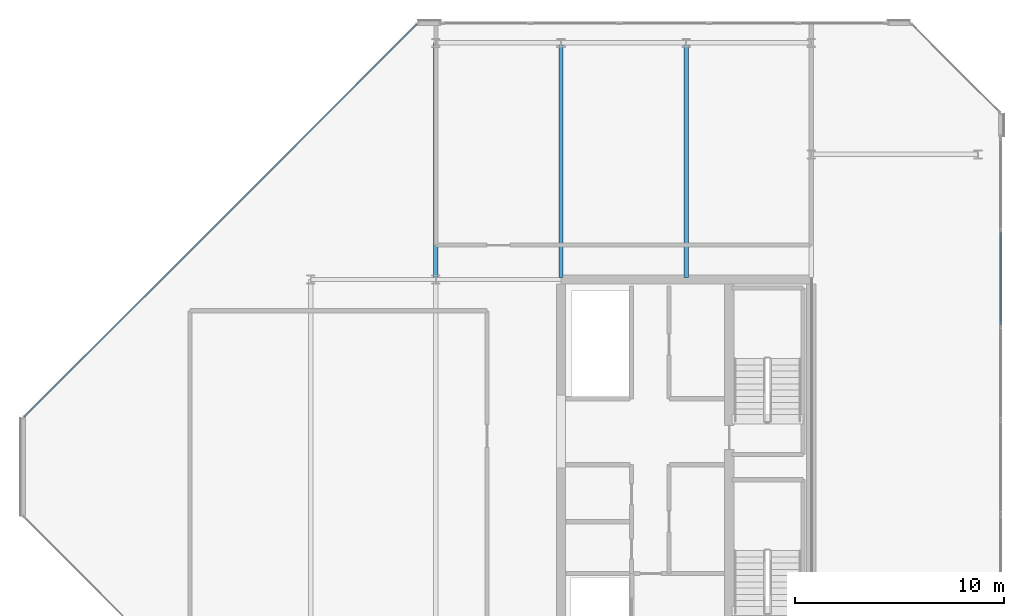
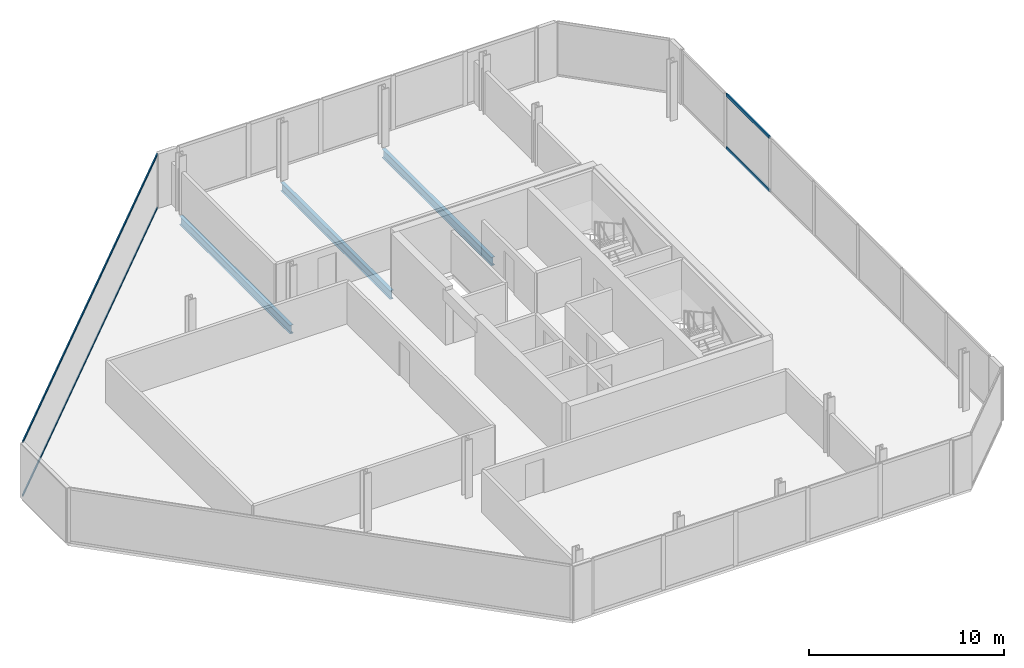
# One storey, part 9 of 16: 4 members, 3 beams, 2 elements without a shape of their own.
"""IFC4 building model written with IfcOpenShell, lengths in metres."""

import ifcopenshell
import ifcopenshell.guid

model = None  # the IFC model being written
_history = None  # IfcOwnerHistory: only IFC2X3 demands one
_inside = {}  # id of a spatial element -> (the spatial element, [elements in it])
_under = {}  # id of a project, library or spatial element -> (it, [spatial elements below it])
_declared = {}  # id of a project -> (the project, [libraries it declares])
_typed = {}  # id of a type object -> (the type object, [elements of that type])
_made_of = {}  # id of a material, layer set ... -> (it, [elements and type objects made of it])


def new_model(schema):
    """Start an empty IFC model of exactly this schema.

    Asked for "IFC4X3", IfcOpenShell would pick the latest addendum, in which some entities
    have other attributes; the version numbers below select the first issue.
    IFC2X3 requires an IfcOwnerHistory on every rooted entity: one is made here for all.
    """
    global model, _history
    if schema == "IFC4X3":
        model = ifcopenshell.file(schema_version=(4, 3, 0, 0))
    else:
        model = ifcopenshell.file(schema=schema)
    _inside.clear()
    _under.clear()
    _declared.clear()
    _typed.clear()
    _made_of.clear()
    _history = None
    if model.schema == "IFC2X3":
        org = make("IfcOrganization", Name="unknown")
        user = make(
            "IfcPersonAndOrganization",
            ThePerson=make("IfcPerson", FamilyName="unknown"),
            TheOrganization=org,
        )
        app = make(
            "IfcApplication",
            ApplicationDeveloper=org,
            Version="unknown",
            ApplicationFullName="unknown",
            ApplicationIdentifier="unknown",
        )
        _history = make(
            "IfcOwnerHistory",
            OwningUser=user,
            OwningApplication=app,
            ChangeAction="ADDED",
            CreationDate=0,
        )
    return model


def make(cls, **values):
    """One entity of the class cls with the attributes given. An attribute that is None is left unset."""
    return model.create_entity(
        cls, **{name: value for name, value in values.items() if value is not None}
    )


def rooted(cls, **values):
    """An entity with a GlobalId (a new one), such as an element, a storey or a relation."""
    return make(cls, GlobalId=ifcopenshell.guid.new(), OwnerHistory=_history, **values)


def si_unit(unit_type, name, prefix=None):
    """IfcSIUnit, for example si_unit("LENGTHUNIT", "METRE", prefix="MILLI")."""
    return make("IfcSIUnit", UnitType=unit_type, Prefix=prefix, Name=name)


def assignment(units):
    """IfcUnitAssignment: the units of a project."""
    return None if units is None else make("IfcUnitAssignment", Units=units)


def point(xyz):
    """IfcCartesianPoint."""
    return None if xyz is None else make("IfcCartesianPoint", Coordinates=xyz)


def direction(xyz):
    """IfcDirection."""
    return None if xyz is None else make("IfcDirection", DirectionRatios=xyz)


def frame(location, z_axis=None, x_axis=None):
    """IfcAxis2Placement3D, a coordinate frame: its origin and axes. An axis left out is left unset."""
    return make(
        "IfcAxis2Placement3D",
        Location=point(location),
        Axis=direction(z_axis),
        RefDirection=direction(x_axis),
    )


def frame_2d(location, x_axis=None):
    """IfcAxis2Placement2D, a coordinate frame in the plane: its origin and x axis."""
    return make(
        "IfcAxis2Placement2D", Location=point(location), RefDirection=direction(x_axis)
    )


def origin():
    """The frame at (0, 0, 0) with its axes left unset."""
    return frame((0.0, 0.0, 0.0))


def origin_2d():
    """The frame at (0, 0) in the plane with its x axis left unset."""
    return frame_2d((0.0, 0.0))


def place(relative_to, where):
    """IfcLocalPlacement: puts the frame where relative to a parent placement (None: the world)."""
    return make(
        "IfcLocalPlacement", PlacementRelTo=relative_to, RelativePlacement=where
    )


def context(
    kind, dimensions, precision=None, world=None, true_north=None, identifier=None
):
    """IfcGeometricRepresentationContext, for example the 3D "Model" context."""
    return make(
        "IfcGeometricRepresentationContext",
        ContextIdentifier=identifier,
        ContextType=kind,
        CoordinateSpaceDimension=dimensions,
        Precision=precision,
        WorldCoordinateSystem=world,
        TrueNorth=true_north,
    )


def subcontext(parent, identifier, kind, view, scale=None):
    """IfcGeometricRepresentationSubContext, for example "Body" below "Model"."""
    return make(
        "IfcGeometricRepresentationSubContext",
        ContextIdentifier=identifier,
        ContextType=kind,
        ParentContext=parent,
        TargetScale=scale,
        TargetView=view,
    )


def project(units=None, contexts=None):
    """IfcProject with its units and contexts."""
    return rooted(
        "IfcProject",
        Name="project",
        RepresentationContexts=contexts,
        UnitsInContext=assignment(units),
    )


def spatial(cls, under=None, at=None, **own):
    """A site, building, storey or space (cls), placed at a placement, below another one or the project."""
    s = rooted(cls, ObjectPlacement=at, **own)
    if under is not None:
        _under.setdefault(under.id(), (under, []))[1].append(s)
    return s


def profile(cls, at=None, kind="AREA", **sizes):
    """A parametric profile (cls). Its sizes go by their IFC names, for example OverallWidth=200.0."""
    return make(cls, ProfileType=kind, Position=at, **sizes)


def hollow_rectangle(**sizes):
    """IfcRectangleHollowProfileDef."""
    return profile("IfcRectangleHollowProfileDef", **sizes)


def i_section(**sizes):
    """IfcIShapeProfileDef."""
    return profile("IfcIShapeProfileDef", **sizes)


def extrude(swept, where, along, depth):
    """IfcExtrudedAreaSolid: the profile swept, set in the frame where, extruded along a direction by depth."""
    return make(
        "IfcExtrudedAreaSolid",
        SweptArea=swept,
        Position=where,
        ExtrudedDirection=direction(along),
        Depth=depth,
    )


def shape(context_of_items, identifier, shape_type, items):
    """IfcShapeRepresentation: the items that make up one representation, for example the "Body"."""
    return make(
        "IfcShapeRepresentation",
        ContextOfItems=context_of_items,
        RepresentationIdentifier=identifier,
        RepresentationType=shape_type,
        Items=items,
    )


def material(Name=None, Category=None):
    """IfcMaterial."""
    return make("IfcMaterial", Name=Name, Category=Category)


def layer(
    of_material, thickness, ventilated=None, Name=None, Category=None, Priority=None
):
    """IfcMaterialLayer: one layer of a wall or slab, of a material (None: an air gap)."""
    return make(
        "IfcMaterialLayer",
        Material=of_material,
        LayerThickness=thickness,
        IsVentilated=ventilated,
        Name=Name,
        Category=Category,
        Priority=Priority,
    )


def layer_set(layers, Name=None):
    """IfcMaterialLayerSet."""
    return make("IfcMaterialLayerSet", MaterialLayers=layers, LayerSetName=Name)


def material_profile(
    of_material, cross_section, Name=None, Category=None, Priority=None
):
    """IfcMaterialProfile: a cross section and its material."""
    return make(
        "IfcMaterialProfile",
        Name=Name,
        Material=of_material,
        Profile=cross_section,
        Priority=Priority,
        Category=Category,
    )


def profile_set(profiles, Name=None, composite=None):
    """IfcMaterialProfileSet."""
    return make(
        "IfcMaterialProfileSet",
        Name=Name,
        MaterialProfiles=profiles,
        CompositeProfile=composite,
    )


def made_of(thing, what):
    """Note that an element or type object is made of a material, layer set ...; save() writes the relation."""
    if what is not None:
        _made_of.setdefault(what.id(), (what, []))[1].append(thing)
    return thing


def type_object(cls, material=None, **own):
    """A type object (cls), such as IfcWallType, which elements share."""
    return made_of(rooted(cls, **own), material)


def element(
    cls,
    number,
    at=None,
    inside=None,
    cuts=None,
    type_object=None,
    material=None,
    context=None,
    identifier="Body",
    shape_type=None,
    held_by="IfcProductDefinitionShape",
    body=None,
    shapes=None,
    **own,
):
    """One element of the class cls, such as IfcWall. Its Tag is "e" and its number.

    at: its placement. inside: the storey or other place that contains it. cuts: it is an
    opening in that element (IfcRelVoidsElement). A single representation is given by context,
    identifier, shape_type and body (its items); several are given by shapes. held_by: the class
    of the entity that holds the representations. save() writes the other relations.
    """
    e = rooted(cls, Tag="e%d" % number, ObjectPlacement=at, **own)
    if body is not None:
        shapes = [shape(context, identifier, shape_type, body)]
    if shapes is not None:
        e.Representation = make(held_by, Representations=shapes)
    if inside is not None:
        _inside.setdefault(inside.id(), (inside, []))[1].append(e)
    if cuts is not None:
        rooted(
            "IfcRelVoidsElement", RelatingBuildingElement=cuts, RelatedOpeningElement=e
        )
    if type_object is not None:
        _typed.setdefault(type_object.id(), (type_object, []))[1].append(e)
    return made_of(e, material)


def aggregate(whole, parts):
    """IfcRelAggregates: a whole, such as a stair, and the parts it consists of."""
    return rooted("IfcRelAggregates", RelatingObject=whole, RelatedObjects=parts)


def save(model, path):
    """Write the relations noted so far, then the file.

    IfcRelAggregates (storeys below a building ...), IfcRelContainedInSpatialStructure (elements
    in a storey), IfcRelDefinesByType, IfcRelAssociatesMaterial and IfcRelDeclares: one each for
    every whole, place, type object, material and project.
    """
    for whole, parts in _under.values():
        aggregate(whole, parts)
    for where, things in _inside.values():
        rooted(
            "IfcRelContainedInSpatialStructure",
            RelatedElements=things,
            RelatingStructure=where,
        )
    for kind, things in _typed.values():
        rooted("IfcRelDefinesByType", RelatedObjects=things, RelatingType=kind)
    for what, things in _made_of.values():
        rooted("IfcRelAssociatesMaterial", RelatedObjects=things, RelatingMaterial=what)
    for by, libraries in _declared.values():
        rooted("IfcRelDeclares", RelatingContext=by, RelatedDefinitions=libraries)
    model.write(path)


model = new_model("IFC4")

# Units and contexts
model_context = context("Model", 3, precision=1e-05, world=origin(), true_north=direction((0.0, 1.0)))
body_context = subcontext(model_context, "Body", "Model", "MODEL_VIEW")
ifc_project = project(units=[si_unit("LENGTHUNIT", "METRE"), si_unit("AREAUNIT", "SQUARE_METRE"), si_unit("VOLUMEUNIT", "CUBIC_METRE"), si_unit("PLANEANGLEUNIT", "RADIAN"), si_unit("MASSUNIT", "GRAM", prefix="KILO")], contexts=[model_context])

# Site, building, storey
site_placement = place(None, origin())
site = spatial("IfcSite", under=ifc_project, at=site_placement, CompositionType="ELEMENT")
building_placement = place(site_placement, origin())
building = spatial("IfcBuilding", under=site, at=building_placement, Name="Tanjung Sevakor Pilgrim Tower", CompositionType="ELEMENT")
storey_placement = place(building_placement, frame((0.0, 0.0, 271.590087890625)))
storey = spatial("IfcBuildingStorey", under=building, at=storey_placement, Name="L76", CompositionType="ELEMENT", Elevation=271.590087890625)

# Beams
ifc_material_1 = material(Name="Steel S355J2", Category="steel")
ifc_material_profile_1 = material_profile(ifc_material_1, i_section(OverallWidth=0.210693359375, OverallDepth=0.53955078125, WebThickness=0.01171875, FlangeThickness=0.018798828125, FilletRadius=0.0126953125, at=origin_2d()))
ifc_profile_set_1 = profile_set([ifc_material_profile_1], Name="Steel S355J2")
beam_type = type_object("IfcBeamType", Name="BM-B-G6-UB_533x210x109", PredefinedType="BEAM", material=ifc_profile_set_1)
beam_placement = place(storey_placement, frame((72.0, 42.60009765625, -0.48974609375), z_axis=(0.0, 1.0, 0.0), x_axis=(-1.0, 0.0, 0.0)))
element("IfcBeam", 1, at=beam_placement, inside=storey, type_object=beam_type, Name="L76 EAST Girder 004", PredefinedType="BEAM", context=body_context, shape_type="SweptSolid", body=[
    extrude(i_section(OverallWidth=0.210693359375, OverallDepth=0.53955078125, WebThickness=0.01171875, FlangeThickness=0.018798828125, FilletRadius=0.0126953125, at=origin_2d()), origin(), (0.0, 0.0, 1.0), 11.349853515625),
])
for number, where, z_axis, x_axis, name in (
    (2, (78.0, 42.7060546875, -0.48974609375), (0.0, 1.0, 0.0), (-1.0, 0.0, 0.0), "L76 EAST Girder 006"),
    (3, (84.0, 42.7060546875, -0.48974609375), (0.0, 1.0, 0.0), (-1.0, 0.0, 0.0), "L76 EAST Girder 008"),
):
    element("IfcBeam", number, at=place(storey_placement, frame(where, z_axis=z_axis, x_axis=x_axis)), inside=storey, type_object=beam_type, Name=name, PredefinedType="BEAM", context=body_context, shape_type="SweptSolid", body=[
        extrude(i_section(OverallWidth=0.210693359375, OverallDepth=0.53955078125, WebThickness=0.01171875, FlangeThickness=0.018798828125, FilletRadius=0.0126953125, at=origin_2d()), origin(), (0.0, 0.0, 1.0), 11.243896484375),
    ])

# Curtain wall, members
ifc_material_2 = material(Name="Aluminium 6063-T6 and Low-E Glass", Category="aluminium")
ifc_layer_1 = layer(ifc_material_2, 0.179931640625)
ifc_layer_set_1 = layer_set([ifc_layer_1], Name="CW-SYS-CHAM")
curtain_wall_type_1 = type_object("IfcCurtainWallType", Name="CW-SYS-CHAM", PredefinedType="NOTDEFINED", material=ifc_layer_set_1)
curtain_wall_1_placement = place(storey_placement, origin())
curtain_wall_1 = element("IfcCurtainWall", 4, at=curtain_wall_1_placement, inside=storey, type_object=curtain_wall_type_1, Name="L76 Curtain Wall CW-CHM-L76-EAST-5", PredefinedType="NOTDEFINED")
ifc_material_3 = material(Name="Aluminium 6063-T6", Category="aluminium")
ifc_material_profile_2 = material_profile(ifc_material_3, hollow_rectangle(XDim=0.06494140625, YDim=0.139892578125, WallThickness=0.00390625, at=origin_2d()))
ifc_profile_set_2 = profile_set([ifc_material_profile_2], Name="Aluminium 6063-T6")
member_type_1 = type_object("IfcMemberType", Name="TYPE-CWT-1", PredefinedType="USERDEFINED", material=ifc_profile_set_2)
member_1_placement = place(storey_placement, frame((71.099609375, 54.843994140625, 0.032470703125), z_axis=(-0.707106781187, -0.707106781187, 0.0), x_axis=(0.707106781187, -0.707106781187, 0.0)))
member_1 = element("IfcMember", 5, at=member_1_placement, type_object=member_type_1, Name="CW-CHM transom 1.1", ObjectType="TRANSOM", PredefinedType="USERDEFINED", context=body_context, shape_type="SweptSolid", body=[
    extrude(hollow_rectangle(XDim=0.06494140625, YDim=0.139892578125, WallThickness=0.00390625, at=origin_2d()), origin(), (0.0, 0.0, 1.0), 26.649169921875),
])
member_2_placement = place(storey_placement, frame((71.099609375, 54.843994140625, 3.37744140625), z_axis=(-0.707106781187, -0.707106781187, 0.0), x_axis=(0.707106781187, -0.707106781187, 0.0)))
member_2 = element("IfcMember", 6, at=member_2_placement, type_object=member_type_1, Name="CW-CHM transom 1.2", ObjectType="TRANSOM", PredefinedType="USERDEFINED", context=body_context, shape_type="SweptSolid", body=[
    extrude(hollow_rectangle(XDim=0.06494140625, YDim=0.139892578125, WallThickness=0.00390625, at=origin_2d()), origin(), (0.0, 0.0, 1.0), 26.649169921875),
])
aggregate(curtain_wall_1, [member_1, member_2])

ifc_material_4 = material(Name="Aluminium 6063-T6 and Low-E Glass", Category="aluminium")
ifc_layer_2 = layer(ifc_material_4, 0.219970703125)
ifc_layer_set_2 = layer_set([ifc_layer_2], Name="CW-SYS-CRNE")
curtain_wall_type_2 = type_object("IfcCurtainWallType", Name="CW-SYS-CRNE", PredefinedType="NOTDEFINED", material=ifc_layer_set_2)
curtain_wall_2_placement = place(storey_placement, origin())
curtain_wall_2 = element("IfcCurtainWall", 7, at=curtain_wall_2_placement, inside=storey, type_object=curtain_wall_type_2, Name="L76 Curtain Wall CW-CRN-L76-EAST-2-1", PredefinedType="NOTDEFINED")
ifc_material_5 = material(Name="Aluminium 6063-T6", Category="aluminium")
ifc_material_profile_3 = material_profile(ifc_material_5, hollow_rectangle(XDim=0.080078125, YDim=0.179931640625, WallThickness=0.0048828125, at=origin_2d()))
ifc_profile_set_3 = profile_set([ifc_material_profile_3], Name="Aluminium 6063-T6")
member_type_2 = type_object("IfcMemberType", Name="TYPE-CWT-3", PredefinedType="USERDEFINED", material=ifc_profile_set_3)
member_3_placement = place(storey_placement, frame((99.090087890625, 40.434814453125, 0.039794921875), z_axis=(0.0, 1.0, 0.0), x_axis=(-1.0, 0.0, 0.0)))
member_3 = element("IfcMember", 8, at=member_3_placement, type_object=member_type_2, Name="CW-CRE transom 6.1", ObjectType="TRANSOM", PredefinedType="USERDEFINED", context=body_context, shape_type="SweptSolid", body=[
    extrude(hollow_rectangle(XDim=0.080078125, YDim=0.179931640625, WallThickness=0.0048828125, at=origin_2d()), origin(), (0.0, 0.0, 1.0), 4.44970703125),
])
member_4_placement = place(storey_placement, frame((99.090087890625, 40.434814453125, 3.369873046875), z_axis=(0.0, 1.0, 0.0), x_axis=(-1.0, 0.0, 0.0)))
member_4 = element("IfcMember", 9, at=member_4_placement, type_object=member_type_2, Name="CW-CRE transom 6.2", ObjectType="TRANSOM", PredefinedType="USERDEFINED", context=body_context, shape_type="SweptSolid", body=[
    extrude(hollow_rectangle(XDim=0.080078125, YDim=0.179931640625, WallThickness=0.0048828125, at=origin_2d()), origin(), (0.0, 0.0, 1.0), 4.44970703125),
])
aggregate(curtain_wall_2, [member_3, member_4])

save(model, "model.ifc")
